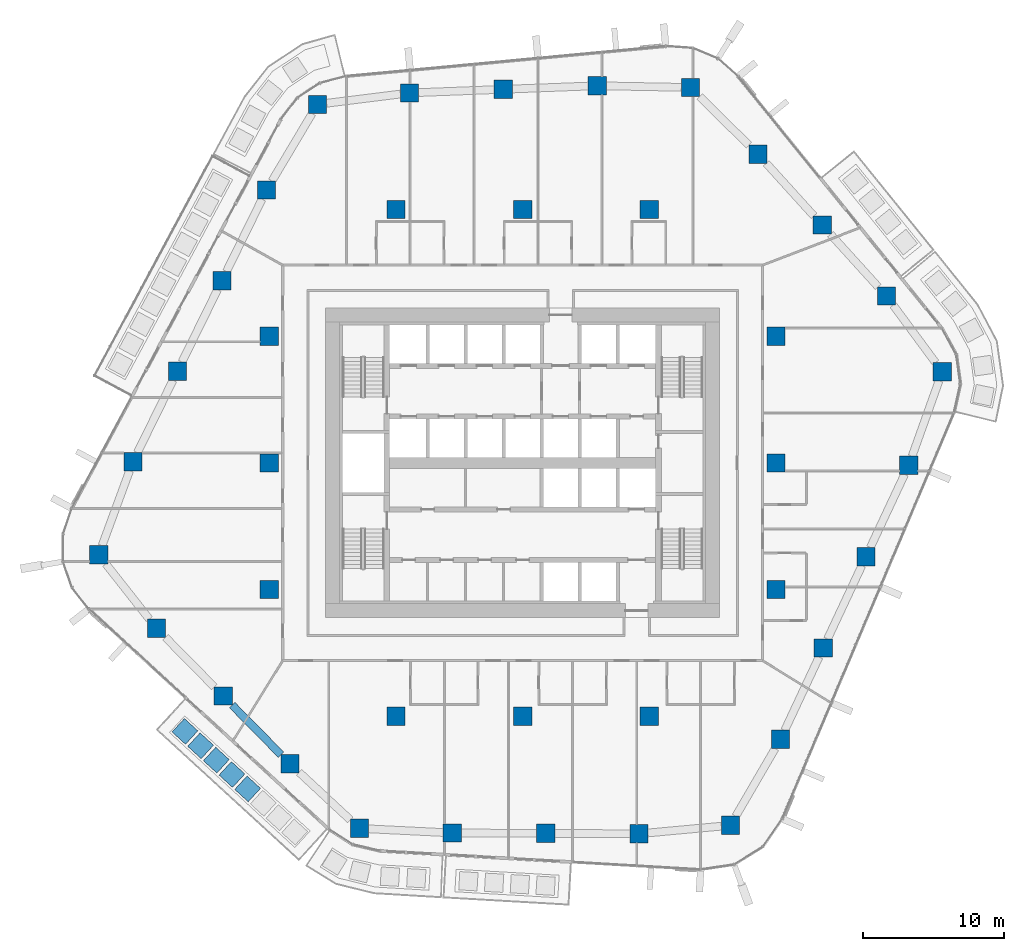
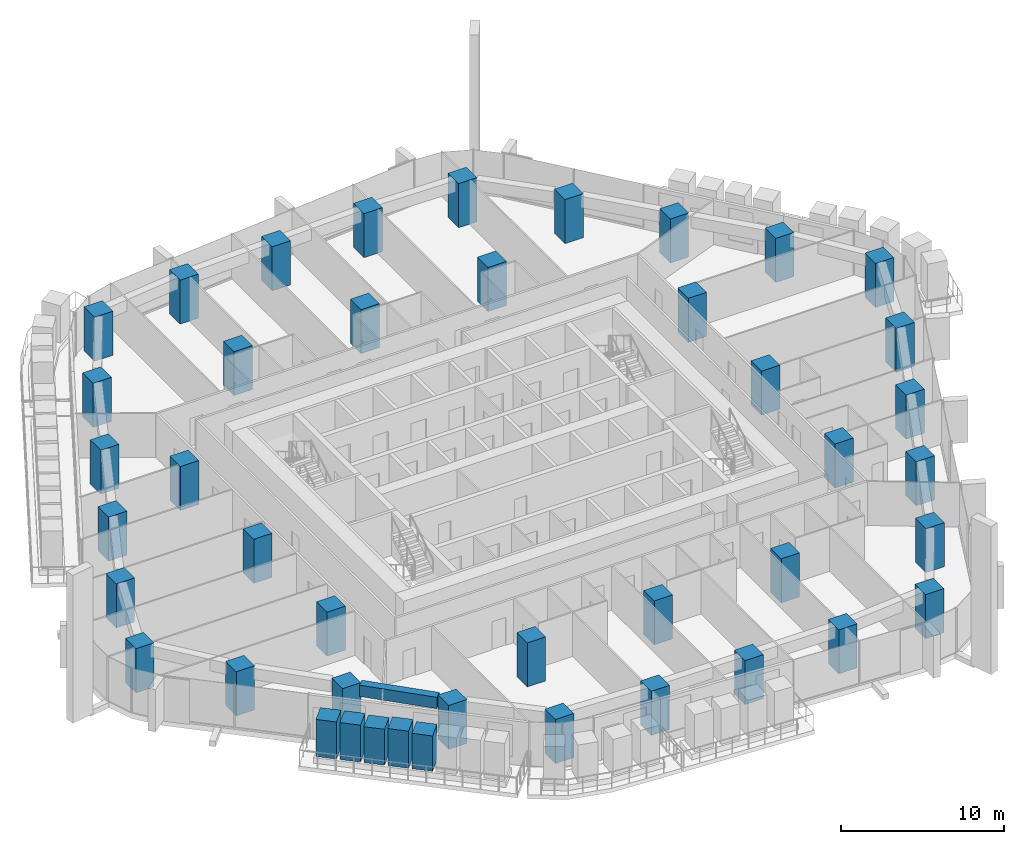
# One storey, part 1 of 24: 38 columns, 5 members, 1 beam.
"""IFC4 building model written with IfcOpenShell, lengths in metres."""

from ifc_helpers import new_model, si_unit, direction, frame, origin, origin_2d, place, context, subcontext, project, spatial, rectangle, extrude, material, material_profile, profile_set, type_object, element, save


model = new_model("IFC4")

# Units and contexts
model_context = context("Model", 3, precision=1e-05, world=origin(), true_north=direction((0.0, 1.0)))
body_context = subcontext(model_context, "Body", "Model", "MODEL_VIEW")
ifc_project = project(units=[si_unit("LENGTHUNIT", "METRE"), si_unit("AREAUNIT", "SQUARE_METRE"), si_unit("VOLUMEUNIT", "CUBIC_METRE"), si_unit("PLANEANGLEUNIT", "RADIAN"), si_unit("MASSUNIT", "GRAM", prefix="KILO")], contexts=[model_context])

# Site, building, storey
site_placement = place(None, origin())
site = spatial("IfcSite", under=ifc_project, at=site_placement, CompositionType="ELEMENT")
building_placement = place(site_placement, origin())
building = spatial("IfcBuilding", under=site, at=building_placement, Name="Dongbaek Canopy Tower", CompositionType="ELEMENT")
storey_placement = place(building_placement, frame((0.0, 0.0, 117.39990234375)))
storey = spatial("IfcBuildingStorey", under=building, at=storey_placement, Name="L25", CompositionType="ELEMENT", Elevation=117.39990234375)

# Columns
ifc_material_1 = material(Name="Concrete C80", Category="concrete")
ifc_material_profile_1 = material_profile(ifc_material_1, rectangle(XDim=1.300048828125, YDim=1.300048828125, at=origin_2d()), Name="RC COLUMN 1300x1300 C80")
ifc_profile_set_1 = profile_set([ifc_material_profile_1], Name="Concrete C80")
column_type = type_object("IfcColumnType", Name="RC COLUMN 1300x1300 C80", PredefinedType="COLUMN", material=ifc_profile_set_1)
for number, where, z_axis, x_axis, name in (
    (1, (14.760009765625, -25.7490234375, 0.0), (0.0, 0.0, 1.0), (1.0, 0.0, 0.0), "COL:CZ2-01:L25"),
    (2, (8.258056640625, -26.34912109375, 0.0), (0.0, 0.0, 1.0), (1.0, 0.0, 0.0), "COL:CZ2-02:L25"),
    (3, (1.62890625, -26.319091796875, 0.0), (0.0, 0.0, 1.0), (1.0, 0.0, 0.0), "COL:CZ2-03:L25"),
    (4, (-5.0, -26.2900390625, 0.0), (0.0, 0.0, 1.0), (1.0, 0.0, 0.0), "COL:CZ2-04:L25"),
    (5, (-11.59912109375, -25.966064453125, 0.0), (0.0, 0.0, 1.0), (1.0, 0.0, 0.0), "COL:CZ2-05:L25"),
    (6, (-16.532958984375, -21.376953125, 0.0), (0.0, 0.0, 1.0), (1.0, 0.0, 0.0), "COL:CZ2-06:L25"),
    (7, (-21.277099609375, -16.56005859375, 0.0), (0.0, 0.0, 1.0), (1.0, 0.0, 0.0), "COL:CZ2-07:L25"),
    (8, (-26.02099609375, -11.742919921875, 0.0), (0.0, 0.0, 1.0), (1.0, 0.0, 0.0), "COL:CZ2-08:L25"),
    (9, (-30.125, -6.527099609375, 0.0), (0.0, 0.0, 1.0), (1.0, 0.0, 0.0), "COL:CZ2-09:L25"),
    (10, (-27.693115234375, 0.0830078125, 0.0), (0.0, 0.0, 1.0), (1.0, 0.0, 0.0), "COL:CZ2-10:L25"),
    (11, (-24.529052734375, 6.51806640625, 0.0), (0.0, 0.0, 1.0), (1.0, 0.0, 0.0), "COL:CZ2-11:L25"),
    (12, (-21.364013671875, 12.951904296875, 0.0), (0.0, 0.0, 1.0), (1.0, 0.0, 0.0), "COL:CZ2-12:L25"),
    (13, (-18.198974609375, 19.385986328125, 0.0), (0.0, 0.0, 1.0), (1.0, 0.0, 0.0), "COL:CZ2-13:L25"),
    (14, (-14.575927734375, 25.471923828125, 0.0), (0.0, 0.0, 1.0), (1.0, 0.0, 0.0), "COL:CZ2-14:L25"),
    (15, (-8.041015625, 26.2880859375, 0.0), (0.0, 0.0, 1.0), (1.0, 0.0, 0.0), "COL:CZ2-15:L25"),
    (16, (-1.3720703125, 26.5439453125, 0.0), (0.0, 0.0, 1.0), (1.0, 0.0, 0.0), "COL:CZ2-16:L25"),
    (17, (5.294921875, 26.798095703125, 0.0), (0.0, 0.0, 1.0), (1.0, 0.0, 0.0), "COL:CZ2-17:L25"),
    (18, (11.9169921875, 26.674072265625, 0.0), (0.0, 0.0, 1.0), (1.0, 0.0, 0.0), "COL:CZ2-18:L25"),
    (19, (16.718017578125, 21.93505859375, 0.0), (0.0, 0.0, 1.0), (1.0, 0.0, 0.0), "COL:CZ2-19:L25"),
    (20, (21.280029296875, 16.89794921875, 0.0), (0.0, 0.0, 1.0), (1.0, 0.0, 0.0), "COL:CZ2-20:L25"),
    (21, (25.841064453125, 11.862060546875, 0.0), (0.0, 0.0, 1.0), (1.0, 0.0, 0.0), "COL:CZ2-21:L25"),
    (22, (29.81103515625, 6.48193359375, 0.0), (0.0, 0.0, 1.0), (1.0, 0.0, 0.0), "COL:CZ2-22:L25"),
    (23, (27.43603515625, -0.1650390625, 0.0), (0.0, 0.0, 1.0), (1.0, 0.0, 0.0), "COL:CZ2-23:L25"),
    (24, (24.39599609375, -6.656982421875, 0.0), (0.0, 0.0, 1.0), (1.0, 0.0, 0.0), "COL:CZ2-24:L25"),
    (25, (21.35595703125, -13.14990234375, 0.0), (0.0, 0.0, 1.0), (1.0, 0.0, 0.0), "COL:CZ2-25:L25"),
    (26, (18.31494140625, -19.64208984375, 0.0), (0.0, 0.0, 1.0), (1.0, 0.0, 0.0), "COL:CZ2-26:L25"),
    (27, (-18.0, -9.0, 0.0), (0.0, 0.0, 1.0), (1.0, 0.0, 0.0), "COL:CIZ2-01:L25"),
    (28, (-18.0, 0.0, 0.0), (0.0, 0.0, 1.0), (1.0, 0.0, 0.0), "COL:CIZ2-02:L25"),
    (29, (-18.0, 9.0, 0.0), (0.0, 0.0, 1.0), (1.0, 0.0, 0.0), "COL:CIZ2-03:L25"),
    (30, (-9.0, -18.0, 0.0), (0.0, 0.0, 1.0), (1.0, 0.0, 0.0), "COL:CIZ2-04:L25"),
    (31, (-9.0, 18.0, 0.0), (0.0, 0.0, 1.0), (1.0, 0.0, 0.0), "COL:CIZ2-05:L25"),
    (32, (0.0, -18.0, 0.0), (0.0, 0.0, 1.0), (1.0, 0.0, 0.0), "COL:CIZ2-06:L25"),
    (33, (0.0, 18.0, 0.0), (0.0, 0.0, 1.0), (1.0, 0.0, 0.0), "COL:CIZ2-07:L25"),
    (34, (9.0, -18.0, 0.0), (0.0, 0.0, 1.0), (1.0, 0.0, 0.0), "COL:CIZ2-08:L25"),
    (35, (9.0, 18.0, 0.0), (0.0, 0.0, 1.0), (1.0, 0.0, 0.0), "COL:CIZ2-09:L25"),
    (36, (18.0, -9.0, 0.0), (0.0, 0.0, 1.0), (1.0, 0.0, 0.0), "COL:CIZ2-10:L25"),
    (37, (18.0, 0.0, 0.0), (0.0, 0.0, 1.0), (1.0, 0.0, 0.0), "COL:CIZ2-11:L25"),
    (38, (18.0, 9.0, 0.0), (0.0, 0.0, 1.0), (1.0, 0.0, 0.0), "COL:CIZ2-12:L25"),
):
    element("IfcColumn", number, at=place(storey_placement, frame(where, z_axis=z_axis, x_axis=x_axis)), inside=storey, type_object=column_type, Name=name, PredefinedType="COLUMN", context=body_context, shape_type="SweptSolid", body=[
        extrude(rectangle(XDim=1.300048828125, YDim=1.300048828125, at=origin_2d()), origin(), (0.0, 0.0, 1.0), 3.300048828125),
    ])

# Beam
ifc_material_2 = material(Name="Concrete C80", Category="concrete")
ifc_material_profile_2 = material_profile(ifc_material_2, rectangle(XDim=0.550048828125, YDim=0.85009765625, at=origin_2d()), Name="RC EDGE BEAM 550x850 C80")
ifc_profile_set_2 = profile_set([ifc_material_profile_2], Name="Concrete C80")
beam_type = type_object("IfcBeamType", Name="RC EDGE BEAM 550x850 C80", PredefinedType="BEAM", material=ifc_profile_set_2)
beam_placement = place(storey_placement, frame((-17.173095703125, -20.72705078125, 2.875), z_axis=(-0.701695422573, 0.712477040992, 0.0), x_axis=(-0.712477040992, -0.701695422573, 0.0)))
element("IfcBeam", 39, at=beam_placement, inside=storey, type_object=beam_type, Name="EDGEBEAM:L25:05", PredefinedType="BEAM", context=body_context, shape_type="SweptSolid", body=[
    extrude(rectangle(XDim=0.550048828125, YDim=0.85009765625, at=origin_2d()), origin(), (0.0, 0.0, 1.0), 4.9365234375),
])

# Members
ifc_material_3 = material(Name="Concrete C40/50 planter mass with planting", Category="concrete")
ifc_material_profile_3 = material_profile(ifc_material_3, rectangle(XDim=1.300048828125, YDim=1.300048828125, at=origin_2d()), Name="Terrace PLANTER shrub mass 1300 x 1300")
ifc_profile_set_3 = profile_set([ifc_material_profile_3], Name="Concrete C40/50 planter mass with planting")
member_type = type_object("IfcMemberType", Name="Terrace PLANTER shrub mass 1300 x 1300", PredefinedType="USERDEFINED", material=ifc_profile_set_3)
member_1_placement = place(storey_placement, frame((-23.99560546875, -19.074462890625, 0.420166015625), z_axis=(0.0, 0.0, 1.0), x_axis=(-0.675980347655, -0.73691964934, 0.0)))
element("IfcMember", 40, at=member_1_placement, inside=storey, type_object=member_type, Name="Planter shrubs L25 3.1", ObjectType="PLANTER", PredefinedType="USERDEFINED", context=body_context, shape_type="SweptSolid", body=[
    extrude(rectangle(XDim=1.300048828125, YDim=1.300048828125, at=origin_2d()), origin(), (0.0, 0.0, 1.0), 2.780029296875),
])
member_2_placement = place(storey_placement, frame((-22.882080078125, -20.095947265625, 0.420166015625), z_axis=(0.0, 0.0, 1.0), x_axis=(-0.675980347655, -0.73691964934, 0.0)))
element("IfcMember", 41, at=member_2_placement, inside=storey, type_object=member_type, Name="Planter shrubs L25 3.2", ObjectType="PLANTER", PredefinedType="USERDEFINED", context=body_context, shape_type="SweptSolid", body=[
    extrude(rectangle(XDim=1.300048828125, YDim=1.300048828125, at=origin_2d()), origin(), (0.0, 0.0, 1.0), 2.77001953125),
])
member_3_placement = place(storey_placement, frame((-21.7685546875, -21.117431640625, 0.420166015625), z_axis=(0.0, 0.0, 1.0), x_axis=(-0.675980347655, -0.73691964934, 0.0)))
element("IfcMember", 42, at=member_3_placement, inside=storey, type_object=member_type, Name="Planter shrubs L25 3.3", ObjectType="PLANTER", PredefinedType="USERDEFINED", context=body_context, shape_type="SweptSolid", body=[
    extrude(rectangle(XDim=1.300048828125, YDim=1.300048828125, at=origin_2d()), origin(), (0.0, 0.0, 1.0), 2.68994140625),
])
member_4_placement = place(storey_placement, frame((-20.655029296875, -22.138916015625, 0.420166015625), z_axis=(0.0, 0.0, 1.0), x_axis=(-0.675980347655, -0.73691964934, 0.0)))
element("IfcMember", 43, at=member_4_placement, inside=storey, type_object=member_type, Name="Planter shrubs L25 3.4", ObjectType="PLANTER", PredefinedType="USERDEFINED", context=body_context, shape_type="SweptSolid", body=[
    extrude(rectangle(XDim=1.300048828125, YDim=1.300048828125, at=origin_2d()), origin(), (0.0, 0.0, 1.0), 2.780029296875),
])
member_5_placement = place(storey_placement, frame((-19.54150390625, -23.160400390625, 0.420166015625), z_axis=(0.0, 0.0, 1.0), x_axis=(-0.675980347655, -0.73691964934, 0.0)))
element("IfcMember", 44, at=member_5_placement, inside=storey, type_object=member_type, Name="Planter shrubs L25 3.5", ObjectType="PLANTER", PredefinedType="USERDEFINED", context=body_context, shape_type="SweptSolid", body=[
    extrude(rectangle(XDim=1.300048828125, YDim=1.300048828125, at=origin_2d()), origin(), (0.0, 0.0, 1.0), 2.64990234375),
])

save(model, "model.ifc")
